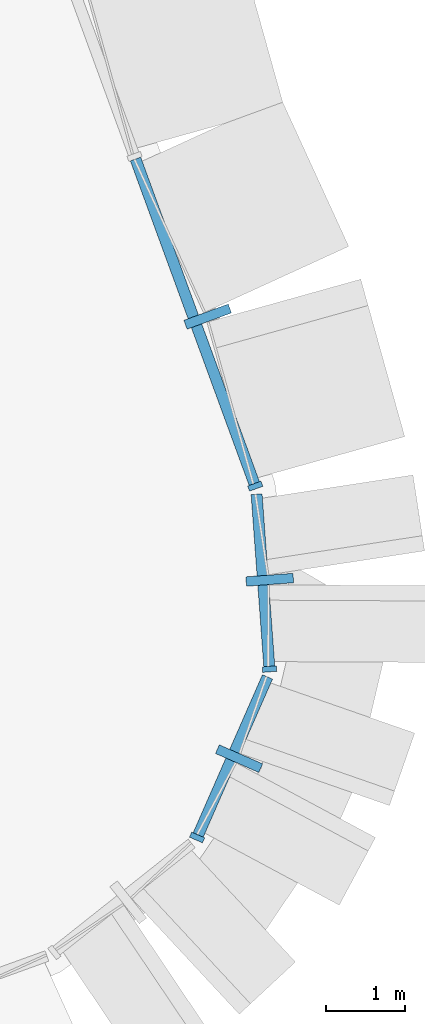
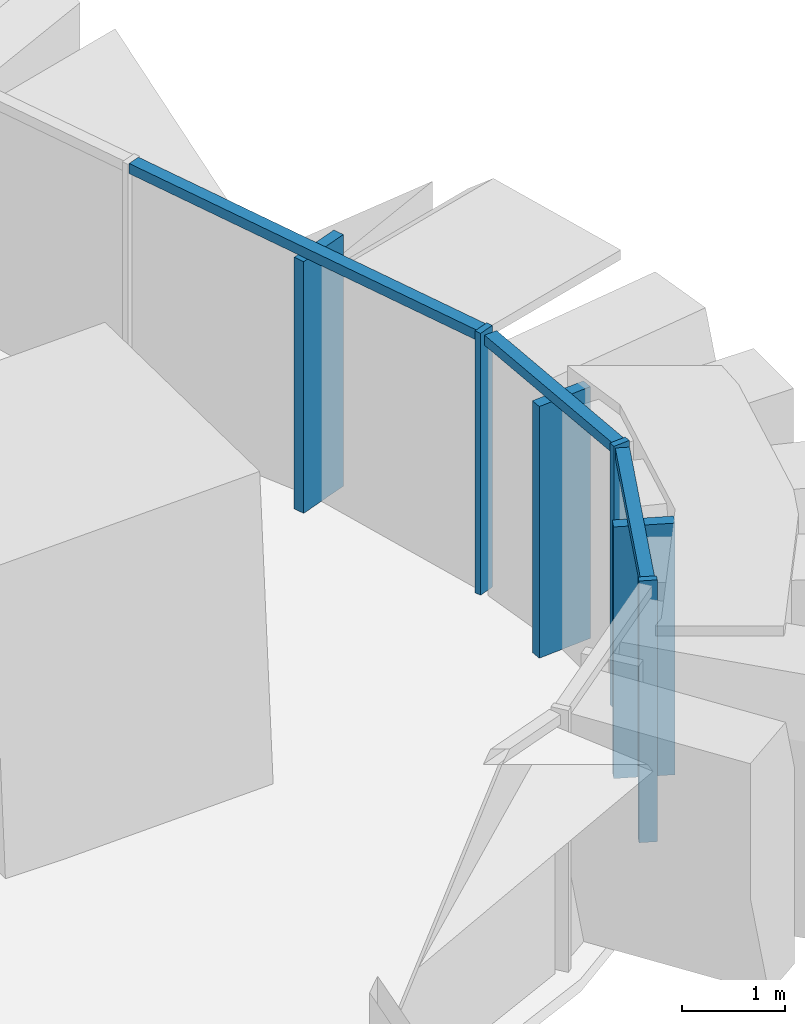
# One storey, part 8 of 24: 9 members, 3 elements without a shape of their own.
"""IFC4 building model written with IfcOpenShell, lengths in metres."""

from ifc_helpers import new_model, si_unit, direction, frame, origin, origin_2d, place, context, subcontext, project, spatial, rectangle, extrude, material, layer, layer_set, material_profile, profile_set, type_object, element, aggregate, save


model = new_model("IFC4")

# Units and contexts
model_context = context("Model", 3, precision=1e-05, world=origin(), true_north=direction((0.0, 1.0)))
body_context = subcontext(model_context, "Body", "Model", "MODEL_VIEW")
ifc_project = project(units=[si_unit("LENGTHUNIT", "METRE"), si_unit("AREAUNIT", "SQUARE_METRE"), si_unit("VOLUMEUNIT", "CUBIC_METRE"), si_unit("PLANEANGLEUNIT", "RADIAN"), si_unit("MASSUNIT", "GRAM", prefix="KILO")], contexts=[model_context])

# Site, building, storey
site_placement = place(None, origin())
site = spatial("IfcSite", under=ifc_project, at=site_placement, CompositionType="ELEMENT")
building_placement = place(site_placement, origin())
building = spatial("IfcBuilding", under=site, at=building_placement, Name="Sierra Prisma Convention Tower", CompositionType="ELEMENT")
storey_placement = place(building_placement, frame((0.0, 0.0, 55.39990234375)))
storey = spatial("IfcBuildingStorey", under=building, at=storey_placement, Name="L09", CompositionType="ELEMENT", Elevation=55.39990234375)

# Curtain wall, member
ifc_material_1 = material(Name="Aluminium and glass curtain wall", Category="aluminium")
ifc_layer = layer(ifc_material_1, 0.179931640625)
ifc_layer_set = layer_set([ifc_layer], Name="CW-2 Faceted crystal curtain wall")
curtain_wall_type = type_object("IfcCurtainWallType", Name="CW-2 Faceted crystal curtain wall", PredefinedType="NOTDEFINED", material=ifc_layer_set)
curtain_wall_1_placement = place(storey_placement, origin())
curtain_wall_1 = element("IfcCurtainWall", 1, at=curtain_wall_1_placement, inside=storey, type_object=curtain_wall_type, Name="CW-2 SE2 L09", PredefinedType="NOTDEFINED")
ifc_material_2 = material(Name="Aluminium 6063-T6 bronze anodised", Category="aluminium")
ifc_material_profile_1 = material_profile(ifc_material_2, rectangle(XDim=0.1201171875, YDim=0.60009765625, at=origin_2d()), Name="ALU RIDGE BLADE 120x600")
ifc_profile_set_1 = profile_set([ifc_material_profile_1], Name="Aluminium 6063-T6 bronze anodised")
member_type_1 = type_object("IfcMemberType", Name="CW hip bronze", PredefinedType="MULLION", material=ifc_profile_set_1)
member_1_placement = place(storey_placement, frame((31.76904296875, -18.64794921875, 0.0), z_axis=(0.0, 0.0, 1.0), x_axis=(0.401592862762, 0.915818307624, 0.0)))
member_1 = element("IfcMember", 2, at=member_1_placement, type_object=member_type_1, Name="CW-2 ridge SE2.1", PredefinedType="MULLION", context=body_context, shape_type="SweptSolid", body=[
    extrude(rectangle(XDim=0.1201171875, YDim=0.60009765625, at=origin_2d()), origin(), (0.0, 0.0, 1.0), 2.97998046875),
])

curtain_wall_2_placement = place(storey_placement, origin())
curtain_wall_2 = element("IfcCurtainWall", 3, at=curtain_wall_2_placement, inside=storey, type_object=curtain_wall_type, Name="CW-2 SE3 L09", PredefinedType="NOTDEFINED")
member_2_placement = place(storey_placement, frame((32.158447265625, -16.376708984375, 0.0), z_axis=(0.0, 0.0, 1.0), x_axis=(-0.073634467873, 0.997285297766, 0.0)))
member_2 = element("IfcMember", 4, at=member_2_placement, type_object=member_type_1, Name="CW-2 ridge SE3.1", PredefinedType="MULLION", context=body_context, shape_type="SweptSolid", body=[
    extrude(rectangle(XDim=0.1201171875, YDim=0.60009765625, at=origin_2d()), origin(), (0.0, 0.0, 1.0), 2.97998046875),
])

curtain_wall_3_placement = place(storey_placement, origin())
curtain_wall_3 = element("IfcCurtainWall", 5, at=curtain_wall_3_placement, inside=storey, type_object=curtain_wall_type, Name="CW-2 NE1 L09", PredefinedType="NOTDEFINED")
member_3_placement = place(storey_placement, frame((31.37060546875, -13.034912109375, 0.0), z_axis=(0.0, 0.0, 1.0), x_axis=(-0.343705619807, 0.939077444577, 0.0)))
member_3 = element("IfcMember", 6, at=member_3_placement, type_object=member_type_1, Name="CW-2 ridge NE1.1", PredefinedType="MULLION", context=body_context, shape_type="SweptSolid", body=[
    extrude(rectangle(XDim=0.1201171875, YDim=0.60009765625, at=origin_2d()), origin(), (0.0, 0.0, 1.0), 2.97998046875),
])

# Member
ifc_material_3 = material(Name="Aluminium 6063-T6 bronze anodised", Category="aluminium")
ifc_material_profile_2 = material_profile(ifc_material_3, rectangle(XDim=0.179931640625, YDim=0.070068359375, at=origin_2d()), Name="ALU MULLION 70x180")
ifc_profile_set_2 = profile_set([ifc_material_profile_2], Name="Aluminium 6063-T6 bronze anodised")
member_type_2 = type_object("IfcMemberType", Name="CW mullion bronze", PredefinedType="MULLION", material=ifc_profile_set_2)
member_4_placement = place(storey_placement, frame((31.236083984375, -19.64892578125, 0.0), z_axis=(0.0, 0.0, 1.0), x_axis=(-0.915818307624, 0.401592862762, 0.0)))
member_4 = element("IfcMember", 7, at=member_4_placement, type_object=member_type_2, Name="CW-1 mullion SE2.1", PredefinedType="MULLION", context=body_context, shape_type="SweptSolid", body=[
    extrude(rectangle(XDim=0.179931640625, YDim=0.070068359375, at=origin_2d()), origin(), (0.0, 0.0, 1.0), 3.10009765625),
])

member_5_placement = place(storey_placement, frame((32.15576171875, -17.5107421875, 0.0), z_axis=(0.0, 0.0, 1.0), x_axis=(-0.997285297766, -0.073634467873, 0.0)))
member_5 = element("IfcMember", 8, at=member_5_placement, type_object=member_type_2, Name="CW-1 mullion SE3.1", PredefinedType="MULLION", context=body_context, shape_type="SweptSolid", body=[
    extrude(rectangle(XDim=0.179931640625, YDim=0.070068359375, at=origin_2d()), origin(), (0.0, 0.0, 1.0), 3.10009765625),
])

member_6_placement = place(storey_placement, frame((31.974609375, -15.1875, 0.0), z_axis=(0.0, 0.0, 1.0), x_axis=(-0.939077444577, -0.343705619807, 0.0)))
member_6 = element("IfcMember", 9, at=member_6_placement, type_object=member_type_2, Name="CW-1 mullion NE1.1", PredefinedType="MULLION", context=body_context, shape_type="SweptSolid", body=[
    extrude(rectangle(XDim=0.179931640625, YDim=0.070068359375, at=origin_2d()), origin(), (0.0, 0.0, 1.0), 3.10009765625),
])

ifc_material_4 = material(Name="Aluminium 6063-T6 bronze anodised", Category="aluminium")
ifc_material_profile_3 = material_profile(ifc_material_4, rectangle(XDim=0.139892578125, YDim=0.1201171875, at=origin_2d()), Name="ALU TRANSOM 120x140")
ifc_profile_set_3 = profile_set([ifc_material_profile_3], Name="Aluminium 6063-T6 bronze anodised")
member_type_3 = type_object("IfcMemberType", Name="CW transom bronze", PredefinedType="USERDEFINED", material=ifc_profile_set_3)
member_7_placement = place(storey_placement, frame((31.25, -19.616943359375, 3.0400390625), z_axis=(0.401595930988, 0.915816962178, 0.0), x_axis=(-0.915816962178, 0.401595930988, 0.0)))
member_7 = element("IfcMember", 10, at=member_7_placement, type_object=member_type_3, Name="CW-1 transom SE2.1", ObjectType="TRANSOM", PredefinedType="USERDEFINED", context=body_context, shape_type="SweptSolid", body=[
    extrude(rectangle(XDim=0.139892578125, YDim=0.1201171875, at=origin_2d()), origin(), (0.0, 0.0, 1.0), 2.191650390625),
])

aggregate(curtain_wall_1, [member_4, member_7, member_1])

member_8_placement = place(storey_placement, frame((32.153076171875, -17.475830078125, 3.0400390625), z_axis=(-0.073637781512, 0.997285053099, 0.0), x_axis=(-0.997285053099, -0.073637781512, 0.0)))
member_8 = element("IfcMember", 11, at=member_8_placement, type_object=member_type_3, Name="CW-1 transom SE3.1", ObjectType="TRANSOM", PredefinedType="USERDEFINED", context=body_context, shape_type="SweptSolid", body=[
    extrude(rectangle(XDim=0.139892578125, YDim=0.1201171875, at=origin_2d()), origin(), (0.0, 0.0, 1.0), 2.19140625),
])

aggregate(curtain_wall_2, [member_5, member_8, member_2])

member_9_placement = place(storey_placement, frame((31.962646484375, -15.154541015625, 3.0400390625), z_axis=(-0.343716763669, 0.93907336581, 0.0), x_axis=(-0.93907336581, -0.343716763669, 0.0)))
member_9 = element("IfcMember", 12, at=member_9_placement, type_object=member_type_3, Name="CW-1 transom NE1.1", ObjectType="TRANSOM", PredefinedType="USERDEFINED", context=body_context, shape_type="SweptSolid", body=[
    extrude(rectangle(XDim=0.139892578125, YDim=0.1201171875, at=origin_2d()), origin(), (0.0, 0.0, 1.0), 4.38818359375),
])

aggregate(curtain_wall_3, [member_6, member_9, member_3])

save(model, "model.ifc")
